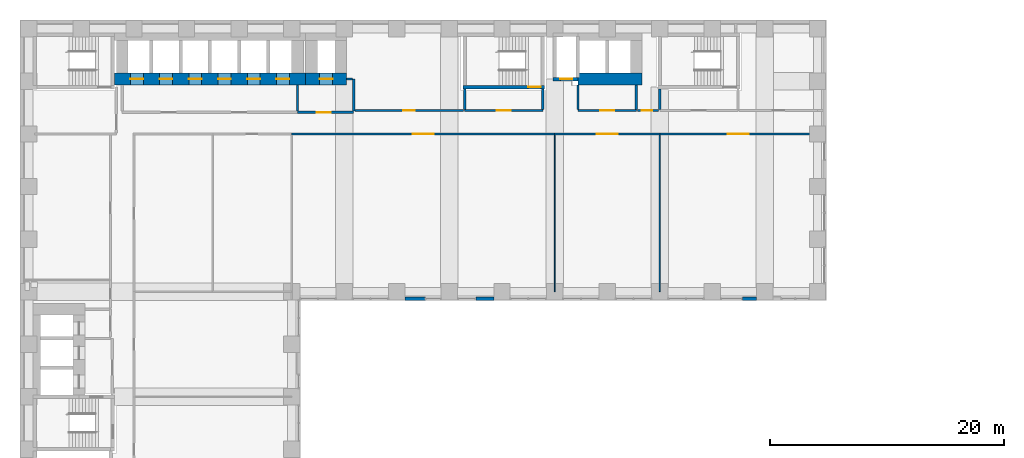
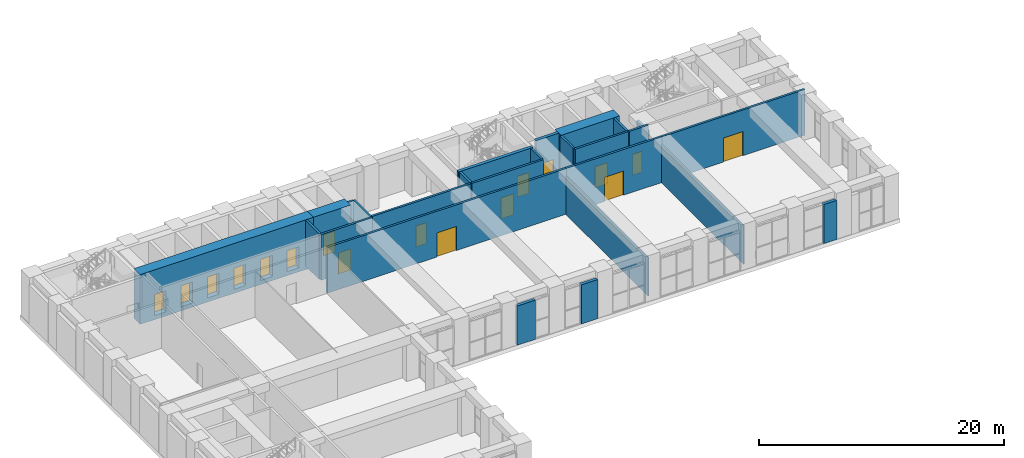
# One storey, part 20 of 34: 26 walls, 17 doors, 17 openings.
"""IFC4 building model written with IfcOpenShell, lengths in metres."""

import ifcopenshell
import ifcopenshell.guid

model = None  # the IFC model being written
_history = None  # IfcOwnerHistory: only IFC2X3 demands one
_inside = {}  # id of a spatial element -> (the spatial element, [elements in it])
_under = {}  # id of a project, library or spatial element -> (it, [spatial elements below it])
_declared = {}  # id of a project -> (the project, [libraries it declares])
_typed = {}  # id of a type object -> (the type object, [elements of that type])
_made_of = {}  # id of a material, layer set ... -> (it, [elements and type objects made of it])


def new_model(schema):
    """Start an empty IFC model of exactly this schema.

    Asked for "IFC4X3", IfcOpenShell would pick the latest addendum, in which some entities
    have other attributes; the version numbers below select the first issue.
    IFC2X3 requires an IfcOwnerHistory on every rooted entity: one is made here for all.
    """
    global model, _history
    if schema == "IFC4X3":
        model = ifcopenshell.file(schema_version=(4, 3, 0, 0))
    else:
        model = ifcopenshell.file(schema=schema)
    _inside.clear()
    _under.clear()
    _declared.clear()
    _typed.clear()
    _made_of.clear()
    _history = None
    if model.schema == "IFC2X3":
        org = make("IfcOrganization", Name="unknown")
        user = make(
            "IfcPersonAndOrganization",
            ThePerson=make("IfcPerson", FamilyName="unknown"),
            TheOrganization=org,
        )
        app = make(
            "IfcApplication",
            ApplicationDeveloper=org,
            Version="unknown",
            ApplicationFullName="unknown",
            ApplicationIdentifier="unknown",
        )
        _history = make(
            "IfcOwnerHistory",
            OwningUser=user,
            OwningApplication=app,
            ChangeAction="ADDED",
            CreationDate=0,
        )
    return model


def make(cls, **values):
    """One entity of the class cls with the attributes given. An attribute that is None is left unset."""
    return model.create_entity(
        cls, **{name: value for name, value in values.items() if value is not None}
    )


def rooted(cls, **values):
    """An entity with a GlobalId (a new one), such as an element, a storey or a relation."""
    return make(cls, GlobalId=ifcopenshell.guid.new(), OwnerHistory=_history, **values)


def si_unit(unit_type, name, prefix=None):
    """IfcSIUnit, for example si_unit("LENGTHUNIT", "METRE", prefix="MILLI")."""
    return make("IfcSIUnit", UnitType=unit_type, Prefix=prefix, Name=name)


def assignment(units):
    """IfcUnitAssignment: the units of a project."""
    return None if units is None else make("IfcUnitAssignment", Units=units)


def point(xyz):
    """IfcCartesianPoint."""
    return None if xyz is None else make("IfcCartesianPoint", Coordinates=xyz)


def direction(xyz):
    """IfcDirection."""
    return None if xyz is None else make("IfcDirection", DirectionRatios=xyz)


def frame(location, z_axis=None, x_axis=None):
    """IfcAxis2Placement3D, a coordinate frame: its origin and axes. An axis left out is left unset."""
    return make(
        "IfcAxis2Placement3D",
        Location=point(location),
        Axis=direction(z_axis),
        RefDirection=direction(x_axis),
    )


def frame_2d(location, x_axis=None):
    """IfcAxis2Placement2D, a coordinate frame in the plane: its origin and x axis."""
    return make(
        "IfcAxis2Placement2D", Location=point(location), RefDirection=direction(x_axis)
    )


def origin():
    """The frame at (0, 0, 0) with its axes left unset."""
    return frame((0.0, 0.0, 0.0))


def place(relative_to, where):
    """IfcLocalPlacement: puts the frame where relative to a parent placement (None: the world)."""
    return make(
        "IfcLocalPlacement", PlacementRelTo=relative_to, RelativePlacement=where
    )


def context(
    kind, dimensions, precision=None, world=None, true_north=None, identifier=None
):
    """IfcGeometricRepresentationContext, for example the 3D "Model" context."""
    return make(
        "IfcGeometricRepresentationContext",
        ContextIdentifier=identifier,
        ContextType=kind,
        CoordinateSpaceDimension=dimensions,
        Precision=precision,
        WorldCoordinateSystem=world,
        TrueNorth=true_north,
    )


def subcontext(parent, identifier, kind, view, scale=None):
    """IfcGeometricRepresentationSubContext, for example "Body" below "Model"."""
    return make(
        "IfcGeometricRepresentationSubContext",
        ContextIdentifier=identifier,
        ContextType=kind,
        ParentContext=parent,
        TargetScale=scale,
        TargetView=view,
    )


def project(units=None, contexts=None):
    """IfcProject with its units and contexts."""
    return rooted(
        "IfcProject",
        Name="project",
        RepresentationContexts=contexts,
        UnitsInContext=assignment(units),
    )


def spatial(cls, under=None, at=None, **own):
    """A site, building, storey or space (cls), placed at a placement, below another one or the project."""
    s = rooted(cls, ObjectPlacement=at, **own)
    if under is not None:
        _under.setdefault(under.id(), (under, []))[1].append(s)
    return s


def profile(cls, at=None, kind="AREA", **sizes):
    """A parametric profile (cls). Its sizes go by their IFC names, for example OverallWidth=200.0."""
    return make(cls, ProfileType=kind, Position=at, **sizes)


def rectangle(**sizes):
    """IfcRectangleProfileDef."""
    return profile("IfcRectangleProfileDef", **sizes)


def extrude(swept, where, along, depth):
    """IfcExtrudedAreaSolid: the profile swept, set in the frame where, extruded along a direction by depth."""
    return make(
        "IfcExtrudedAreaSolid",
        SweptArea=swept,
        Position=where,
        ExtrudedDirection=direction(along),
        Depth=depth,
    )


def shape(context_of_items, identifier, shape_type, items):
    """IfcShapeRepresentation: the items that make up one representation, for example the "Body"."""
    return make(
        "IfcShapeRepresentation",
        ContextOfItems=context_of_items,
        RepresentationIdentifier=identifier,
        RepresentationType=shape_type,
        Items=items,
    )


def material(Name=None, Category=None):
    """IfcMaterial."""
    return make("IfcMaterial", Name=Name, Category=Category)


def layer(
    of_material, thickness, ventilated=None, Name=None, Category=None, Priority=None
):
    """IfcMaterialLayer: one layer of a wall or slab, of a material (None: an air gap)."""
    return make(
        "IfcMaterialLayer",
        Material=of_material,
        LayerThickness=thickness,
        IsVentilated=ventilated,
        Name=Name,
        Category=Category,
        Priority=Priority,
    )


def layer_set(layers, Name=None):
    """IfcMaterialLayerSet."""
    return make("IfcMaterialLayerSet", MaterialLayers=layers, LayerSetName=Name)


def made_of(thing, what):
    """Note that an element or type object is made of a material, layer set ...; save() writes the relation."""
    if what is not None:
        _made_of.setdefault(what.id(), (what, []))[1].append(thing)
    return thing


def type_object(cls, material=None, **own):
    """A type object (cls), such as IfcWallType, which elements share."""
    return made_of(rooted(cls, **own), material)


def element(
    cls,
    number,
    at=None,
    inside=None,
    cuts=None,
    type_object=None,
    material=None,
    context=None,
    identifier="Body",
    shape_type=None,
    held_by="IfcProductDefinitionShape",
    body=None,
    shapes=None,
    **own,
):
    """One element of the class cls, such as IfcWall. Its Tag is "e" and its number.

    at: its placement. inside: the storey or other place that contains it. cuts: it is an
    opening in that element (IfcRelVoidsElement). A single representation is given by context,
    identifier, shape_type and body (its items); several are given by shapes. held_by: the class
    of the entity that holds the representations. save() writes the other relations.
    """
    e = rooted(cls, Tag="e%d" % number, ObjectPlacement=at, **own)
    if body is not None:
        shapes = [shape(context, identifier, shape_type, body)]
    if shapes is not None:
        e.Representation = make(held_by, Representations=shapes)
    if inside is not None:
        _inside.setdefault(inside.id(), (inside, []))[1].append(e)
    if cuts is not None:
        rooted(
            "IfcRelVoidsElement", RelatingBuildingElement=cuts, RelatedOpeningElement=e
        )
    if type_object is not None:
        _typed.setdefault(type_object.id(), (type_object, []))[1].append(e)
    return made_of(e, material)


def fill(opening, filler):
    """IfcRelFillsElement: the door or window that sits in an opening."""
    return rooted(
        "IfcRelFillsElement",
        RelatingOpeningElement=opening,
        RelatedBuildingElement=filler,
    )


def aggregate(whole, parts):
    """IfcRelAggregates: a whole, such as a stair, and the parts it consists of."""
    return rooted("IfcRelAggregates", RelatingObject=whole, RelatedObjects=parts)


def save(model, path):
    """Write the relations noted so far, then the file.

    IfcRelAggregates (storeys below a building ...), IfcRelContainedInSpatialStructure (elements
    in a storey), IfcRelDefinesByType, IfcRelAssociatesMaterial and IfcRelDeclares: one each for
    every whole, place, type object, material and project.
    """
    for whole, parts in _under.values():
        aggregate(whole, parts)
    for where, things in _inside.values():
        rooted(
            "IfcRelContainedInSpatialStructure",
            RelatedElements=things,
            RelatingStructure=where,
        )
    for kind, things in _typed.values():
        rooted("IfcRelDefinesByType", RelatedObjects=things, RelatingType=kind)
    for what, things in _made_of.values():
        rooted("IfcRelAssociatesMaterial", RelatedObjects=things, RelatingMaterial=what)
    for by, libraries in _declared.values():
        rooted("IfcRelDeclares", RelatingContext=by, RelatedDefinitions=libraries)
    model.write(path)


model = new_model("IFC4")

# Units and contexts
model_context = context("Model", 3, precision=1e-05, world=origin(), true_north=direction((0.0, 1.0)))
body_context = subcontext(model_context, "Body", "Model", "MODEL_VIEW")
ifc_project = project(units=[si_unit("LENGTHUNIT", "METRE"), si_unit("AREAUNIT", "SQUARE_METRE"), si_unit("VOLUMEUNIT", "CUBIC_METRE"), si_unit("PLANEANGLEUNIT", "RADIAN"), si_unit("MASSUNIT", "GRAM", prefix="KILO")], contexts=[model_context])

# Site, building, storey
site_placement = place(None, origin())
site = spatial("IfcSite", under=ifc_project, at=site_placement, CompositionType="ELEMENT")
building_placement = place(site_placement, origin())
building = spatial("IfcBuilding", under=site, at=building_placement, Name="Firuza Court", CompositionType="ELEMENT")
storey_placement = place(building_placement, frame((0.0, 0.0, 19.0)))
storey = spatial("IfcBuildingStorey", under=building, at=storey_placement, Name="L03", CompositionType="ELEMENT", Elevation=19.0)

# Wall, openings, doors
ifc_material_1 = material(Name="Concrete C60/75", Category="concrete")
ifc_layer_1 = layer(ifc_material_1, 1.0)
ifc_layer_set_1 = layer_set([ifc_layer_1], Name="Concrete C60/75")
wall_type_1 = type_object("IfcWallType", Name="Core wall 1000 C60/75", PredefinedType="SHEAR", material=ifc_layer_set_1)
wall_1_placement = place(storey_placement, frame((7.35009765625, 54.199951171875, -0.39990234375), z_axis=(0.0, 0.0, 1.0), x_axis=(1.0, 0.0, 0.0)))
wall_1 = element("IfcWall", 1, at=wall_1_placement, inside=storey, type_object=wall_type_1, Name="Core wall lift shaft L03", PredefinedType="SHEAR", context=body_context, shape_type="SweptSolid", body=[
    extrude(rectangle(XDim=16.349853515625, YDim=1.0, at=frame_2d((8.1748046875, 0.0))), origin(), (0.0, 0.0, 1.0), 4.949951171875),
])
opening_1_placement = place(wall_1_placement, frame((1.35009765625, 0.0, 0.39990234375)))
opening_1 = element("IfcOpeningElement", 2, at=opening_1_placement, cuts=wall_1, Name="Opening LD-LB1-03", PredefinedType="OPENING", context=body_context, shape_type="SweptSolid", body=[
    extrude(rectangle(XDim=1.10009765625, YDim=2.10009765625, at=frame_2d((0.550048828125, 1.050048828125))), frame((0.0, 0.511962890625, 0.0), z_axis=(0.0, -1.0, 0.0), x_axis=(1.0, 0.0, 0.0)), (0.0, 0.0, 1.0), 1.02392578125),
])
opening_2_placement = place(wall_1_placement, frame((3.85009765625, 0.0, 0.39990234375)))
opening_2 = element("IfcOpeningElement", 3, at=opening_2_placement, cuts=wall_1, Name="Opening LD-LB2-03", PredefinedType="OPENING", context=body_context, shape_type="SweptSolid", body=[
    extrude(rectangle(XDim=1.10009765625, YDim=2.10009765625, at=frame_2d((0.550048828125, 1.050048828125))), frame((0.0, 0.511962890625, 0.0), z_axis=(0.0, -1.0, 0.0), x_axis=(1.0, 0.0, 0.0)), (0.0, 0.0, 1.0), 1.02392578125),
])
opening_3_placement = place(wall_1_placement, frame((6.35009765625, 0.0, 0.39990234375)))
opening_3 = element("IfcOpeningElement", 4, at=opening_3_placement, cuts=wall_1, Name="Opening LD-LB3-03", PredefinedType="OPENING", context=body_context, shape_type="SweptSolid", body=[
    extrude(rectangle(XDim=1.10009765625, YDim=2.10009765625, at=frame_2d((0.550048828125, 1.050048828125))), frame((0.0, 0.511962890625, 0.0), z_axis=(0.0, -1.0, 0.0), x_axis=(1.0, 0.0, 0.0)), (0.0, 0.0, 1.0), 1.02392578125),
])
opening_4_placement = place(wall_1_placement, frame((8.85009765625, 0.0, 0.39990234375)))
opening_4 = element("IfcOpeningElement", 5, at=opening_4_placement, cuts=wall_1, Name="Opening LD-LB4-03", PredefinedType="OPENING", context=body_context, shape_type="SweptSolid", body=[
    extrude(rectangle(XDim=1.10009765625, YDim=2.10009765625, at=frame_2d((0.550048828125, 1.050048828125))), frame((0.0, 0.511962890625, 0.0), z_axis=(0.0, -1.0, 0.0), x_axis=(1.0, 0.0, 0.0)), (0.0, 0.0, 1.0), 1.02392578125),
])
opening_5_placement = place(wall_1_placement, frame((11.35009765625, 0.0, 0.39990234375)))
opening_5 = element("IfcOpeningElement", 6, at=opening_5_placement, cuts=wall_1, Name="Opening LD-LB5-03", PredefinedType="OPENING", context=body_context, shape_type="SweptSolid", body=[
    extrude(rectangle(XDim=1.10009765625, YDim=2.10009765625, at=frame_2d((0.550048828125, 1.050048828125))), frame((0.0, 0.511962890625, 0.0), z_axis=(0.0, -1.0, 0.0), x_axis=(1.0, 0.0, 0.0)), (0.0, 0.0, 1.0), 1.02392578125),
])
opening_6_placement = place(wall_1_placement, frame((13.85009765625, 0.0, 0.39990234375)))
opening_6 = element("IfcOpeningElement", 7, at=opening_6_placement, cuts=wall_1, Name="Opening LD-LB6-03", PredefinedType="OPENING", context=body_context, shape_type="SweptSolid", body=[
    extrude(rectangle(XDim=1.10009765625, YDim=2.10009765625, at=frame_2d((0.550048828125, 1.050048828125))), frame((0.0, 0.511962890625, 0.0), z_axis=(0.0, -1.0, 0.0), x_axis=(1.0, 0.0, 0.0)), (0.0, 0.0, 1.0), 1.02392578125),
])
ifc_material_2 = material(Name="Stainless steel 1.4301 door leaf", Category="steel")
door_type_1 = type_object("IfcDoorType", Name="Lift landing door 1100", OperationType="SLIDING_TO_LEFT", PredefinedType="DOOR", material=ifc_material_2)
door_1_placement = place(opening_1_placement, origin())
door_1 = element("IfcDoor", 8, at=door_1_placement, inside=storey, type_object=door_type_1, Name="Landing door LB1", OperationType="SLIDING_TO_LEFT", OverallHeight=2.10009765625, OverallWidth=1.10009765625, PredefinedType="DOOR", context=body_context, shape_type="SweptSolid", body=[
    extrude(rectangle(XDim=1.10009765625, YDim=2.10009765625, at=frame_2d((0.550048828125, 1.050048828125))), frame((0.0, 0.02490234375, 0.0), z_axis=(0.0, -1.0, 0.0), x_axis=(1.0, 0.0, 0.0)), (0.0, 0.0, 1.0), 0.050048828125),
])
fill(opening_1, door_1)
door_2_placement = place(opening_2_placement, origin())
door_2 = element("IfcDoor", 9, at=door_2_placement, inside=storey, type_object=door_type_1, Name="Landing door LB2", OperationType="SLIDING_TO_LEFT", OverallHeight=2.10009765625, OverallWidth=1.10009765625, PredefinedType="DOOR", context=body_context, shape_type="SweptSolid", body=[
    extrude(rectangle(XDim=1.10009765625, YDim=2.10009765625, at=frame_2d((0.550048828125, 1.050048828125))), frame((0.0, 0.02490234375, 0.0), z_axis=(0.0, -1.0, 0.0), x_axis=(1.0, 0.0, 0.0)), (0.0, 0.0, 1.0), 0.050048828125),
])
fill(opening_2, door_2)
door_3_placement = place(opening_3_placement, origin())
door_3 = element("IfcDoor", 10, at=door_3_placement, inside=storey, type_object=door_type_1, Name="Landing door LB3", OperationType="SLIDING_TO_LEFT", OverallHeight=2.10009765625, OverallWidth=1.10009765625, PredefinedType="DOOR", context=body_context, shape_type="SweptSolid", body=[
    extrude(rectangle(XDim=1.10009765625, YDim=2.10009765625, at=frame_2d((0.550048828125, 1.050048828125))), frame((0.0, 0.02490234375, 0.0), z_axis=(0.0, -1.0, 0.0), x_axis=(1.0, 0.0, 0.0)), (0.0, 0.0, 1.0), 0.050048828125),
])
fill(opening_3, door_3)
door_4_placement = place(opening_4_placement, origin())
door_4 = element("IfcDoor", 11, at=door_4_placement, inside=storey, type_object=door_type_1, Name="Landing door LB4", OperationType="SLIDING_TO_LEFT", OverallHeight=2.10009765625, OverallWidth=1.10009765625, PredefinedType="DOOR", context=body_context, shape_type="SweptSolid", body=[
    extrude(rectangle(XDim=1.10009765625, YDim=2.10009765625, at=frame_2d((0.550048828125, 1.050048828125))), frame((0.0, 0.02490234375, 0.0), z_axis=(0.0, -1.0, 0.0), x_axis=(1.0, 0.0, 0.0)), (0.0, 0.0, 1.0), 0.050048828125),
])
fill(opening_4, door_4)
door_5_placement = place(opening_5_placement, origin())
door_5 = element("IfcDoor", 12, at=door_5_placement, inside=storey, type_object=door_type_1, Name="Landing door LB5", OperationType="SLIDING_TO_LEFT", OverallHeight=2.10009765625, OverallWidth=1.10009765625, PredefinedType="DOOR", context=body_context, shape_type="SweptSolid", body=[
    extrude(rectangle(XDim=1.10009765625, YDim=2.10009765625, at=frame_2d((0.550048828125, 1.050048828125))), frame((0.0, 0.02490234375, 0.0), z_axis=(0.0, -1.0, 0.0), x_axis=(1.0, 0.0, 0.0)), (0.0, 0.0, 1.0), 0.050048828125),
])
fill(opening_5, door_5)
door_6_placement = place(opening_6_placement, origin())
door_6 = element("IfcDoor", 13, at=door_6_placement, inside=storey, type_object=door_type_1, Name="Landing door LB6", OperationType="SLIDING_TO_LEFT", OverallHeight=2.10009765625, OverallWidth=1.10009765625, PredefinedType="DOOR", context=body_context, shape_type="SweptSolid", body=[
    extrude(rectangle(XDim=1.10009765625, YDim=2.10009765625, at=frame_2d((0.550048828125, 1.050048828125))), frame((0.0, 0.02490234375, 0.0), z_axis=(0.0, -1.0, 0.0), x_axis=(1.0, 0.0, 0.0)), (0.0, 0.0, 1.0), 0.050048828125),
])
fill(opening_6, door_6)

# Wall, opening, door
wall_2_placement = place(storey_placement, frame((23.699951171875, 54.199951171875, -0.39990234375), z_axis=(0.0, 0.0, 1.0), x_axis=(1.0, 0.0, 0.0)))
wall_2 = element("IfcWall", 14, at=wall_2_placement, inside=storey, type_object=wall_type_1, Name="Core wall lift shaft L03", PredefinedType="SHEAR", context=body_context, shape_type="SweptSolid", body=[
    extrude(rectangle(XDim=3.5, YDim=1.0, at=frame_2d((1.75, 0.0))), origin(), (0.0, 0.0, 1.0), 4.949951171875),
])
opening_7_placement = place(wall_2_placement, frame((1.199951171875, 0.0, 0.39990234375)))
opening_7 = element("IfcOpeningElement", 15, at=opening_7_placement, cuts=wall_2, Name="Opening LD-FL3-03", PredefinedType="OPENING", context=body_context, shape_type="SweptSolid", body=[
    extrude(rectangle(XDim=1.10009765625, YDim=2.10009765625, at=frame_2d((0.550048828125, 1.050048828125))), frame((0.0, 0.511962890625, 0.0), z_axis=(0.0, -1.0, 0.0), x_axis=(1.0, 0.0, 0.0)), (0.0, 0.0, 1.0), 1.02392578125),
])
door_7_placement = place(opening_7_placement, origin())
door_7 = element("IfcDoor", 16, at=door_7_placement, inside=storey, type_object=door_type_1, Name="Landing door FL3", OperationType="SLIDING_TO_LEFT", OverallHeight=2.10009765625, OverallWidth=1.10009765625, PredefinedType="DOOR", context=body_context, shape_type="SweptSolid", body=[
    extrude(rectangle(XDim=1.10009765625, YDim=2.10009765625, at=frame_2d((0.550048828125, 1.050048828125))), frame((0.0, 0.02490234375, 0.0), z_axis=(0.0, -1.0, 0.0), x_axis=(1.0, 0.0, 0.0)), (0.0, 0.0, 1.0), 0.050048828125),
])
fill(opening_7, door_7)

# Wall
wall_3_placement = place(storey_placement, frame((47.0, 54.199951171875, -0.39990234375), z_axis=(0.0, 0.0, 1.0), x_axis=(1.0, 0.0, 0.0)))
element("IfcWall", 17, at=wall_3_placement, inside=storey, type_object=wall_type_1, Name="Core wall lift shaft L03", PredefinedType="SHEAR", context=body_context, shape_type="SweptSolid", body=[
    extrude(rectangle(XDim=5.5, YDim=1.0, at=frame_2d((2.75, 0.0))), origin(), (0.0, 0.0, 1.0), 4.949951171875),
])

# Wall, opening, door
ifc_layer_2 = layer(ifc_material_1, 0.300048828125)
ifc_layer_set_2 = layer_set([ifc_layer_2], Name="Concrete C60/75")
wall_type_2 = type_object("IfcWallType", Name="Core wall 300 C60/75", PredefinedType="SHEAR", material=ifc_layer_set_2)
wall_4_placement = place(storey_placement, frame((37.14990234375, 53.5, -0.39990234375), z_axis=(0.0, 0.0, 1.0), x_axis=(1.0, 0.0, 0.0)))
wall_4 = element("IfcWall", 18, at=wall_4_placement, inside=storey, type_object=wall_type_2, Name="Core wall stair L03", PredefinedType="SHEAR", context=body_context, shape_type="SweptSolid", body=[
    extrude(rectangle(XDim=7.0, YDim=0.300048828125, at=frame_2d((3.5, 0.0))), origin(), (0.0, 0.0, 1.0), 4.949951171875),
])
opening_8_placement = place(wall_4_placement, frame((5.580078125, 0.0, 0.39990234375)))
opening_8 = element("IfcOpeningElement", 19, at=opening_8_placement, cuts=wall_4, Name="Opening D03013", PredefinedType="OPENING", context=body_context, shape_type="SweptSolid", body=[
    extrude(rectangle(XDim=1.10009765625, YDim=2.10009765625, at=frame_2d((0.550048828125, 1.050048828125))), frame((0.0, 0.162109375, 0.0), z_axis=(0.0, -1.0, 0.0), x_axis=(1.0, 0.0, 0.0)), (0.0, 0.0, 1.0), 0.323974609375),
])
ifc_material_3 = material(Name="Timber door leaf in hardwood frame", Category="wood")
door_type_2 = type_object("IfcDoorType", Name="Stair door 1100", OperationType="SINGLE_SWING_LEFT", PredefinedType="DOOR", material=ifc_material_3)
door_8_placement = place(opening_8_placement, origin())
door_8 = element("IfcDoor", 20, at=door_8_placement, inside=storey, type_object=door_type_2, Name="Stair door S1", OperationType="SINGLE_SWING_RIGHT", OverallHeight=2.10009765625, OverallWidth=1.10009765625, PredefinedType="DOOR", context=body_context, shape_type="SweptSolid", body=[
    extrude(rectangle(XDim=1.10009765625, YDim=2.10009765625, at=frame_2d((0.550048828125, 1.050048828125))), frame((0.0, 0.02490234375, 0.0), z_axis=(0.0, -1.0, 0.0), x_axis=(1.0, 0.0, 0.0)), (0.0, 0.0, 1.0), 0.050048828125),
])
fill(opening_8, door_8)

wall_5_placement = place(storey_placement, frame((44.85009765625, 54.199951171875, -0.39990234375), z_axis=(0.0, 0.0, 1.0), x_axis=(1.0, 0.0, 0.0)))
wall_5 = element("IfcWall", 21, at=wall_5_placement, inside=storey, type_object=wall_type_2, Name="Core wall riser L03", PredefinedType="SHEAR", context=body_context, shape_type="SweptSolid", body=[
    extrude(rectangle(XDim=2.14990234375, YDim=0.300048828125, at=frame_2d((1.074951171875, 0.0))), origin(), (0.0, 0.0, 1.0), 4.949951171875),
])
opening_9_placement = place(wall_5_placement, frame((0.64990234375, 0.0, 0.39990234375)))
opening_9 = element("IfcOpeningElement", 22, at=opening_9_placement, cuts=wall_5, Name="Opening D03011", PredefinedType="OPENING", context=body_context, shape_type="SweptSolid", body=[
    extrude(rectangle(XDim=1.0, YDim=2.10009765625, at=frame_2d((0.5, 1.050048828125))), frame((0.0, 0.162109375, 0.0), z_axis=(0.0, -1.0, 0.0), x_axis=(1.0, 0.0, 0.0)), (0.0, 0.0, 1.0), 0.323974609375),
])
ifc_material_4 = material(Name="Timber door leaf in hardwood frame", Category="wood")
door_type_3 = type_object("IfcDoorType", Name="Riser door 1000", OperationType="SINGLE_SWING_LEFT", PredefinedType="DOOR", material=ifc_material_4)
door_9_placement = place(opening_9_placement, frame((1.0, 0.0, 0.0), z_axis=(0.0, 0.0, 1.0), x_axis=(-1.0, 0.0, 0.0)))
door_9 = element("IfcDoor", 23, at=door_9_placement, inside=storey, type_object=door_type_3, Name="Riser door R3", OperationType="SINGLE_SWING_RIGHT", OverallHeight=2.10009765625, OverallWidth=1.0, PredefinedType="DOOR", context=body_context, shape_type="SweptSolid", body=[
    extrude(rectangle(XDim=1.0, YDim=2.10009765625, at=frame_2d((0.5, 1.050048828125))), frame((0.0, 0.02490234375, 0.0), z_axis=(0.0, -1.0, 0.0), x_axis=(1.0, 0.0, 0.0)), (0.0, 0.0, 1.0), 0.050048828125),
])
fill(opening_9, door_9)

ifc_material_5 = material(Name="Blockwork, plastered both sides", Category="masonry")
ifc_layer_3 = layer(ifc_material_5, 0.199951171875)
ifc_layer_set_3 = layer_set([ifc_layer_3], Name="Blockwork, plastered both sides")
wall_type_3 = type_object("IfcWallType", Name="Corridor wall 200", PredefinedType="PARTITIONING", material=ifc_layer_set_3)
wall_6_placement = place(storey_placement, frame((22.5, 49.5, 0.0), z_axis=(0.0, 0.0, 1.0), x_axis=(1.0, 0.0, 0.0)))
wall_6 = element("IfcWall", 24, at=wall_6_placement, inside=storey, type_object=wall_type_3, Name="Corridor wall 200 L03", PredefinedType="PARTITIONING", context=body_context, shape_type="SweptSolid", body=[
    extrude(rectangle(XDim=22.5, YDim=0.199951171875, at=frame_2d((11.25, 0.0))), origin(), (0.0, 0.0, 1.0), 4.550048828125),
])
opening_10_placement = place(wall_6_placement, frame((10.35009765625, 0.0, 0.0)))
opening_10 = element("IfcOpeningElement", 25, at=opening_10_placement, cuts=wall_6, Name="Opening D03030", PredefinedType="OPENING", context=body_context, shape_type="SweptSolid", body=[
    extrude(rectangle(XDim=1.800048828125, YDim=2.39990234375, at=frame_2d((0.89990234375, 1.199951171875))), frame((0.0, 0.11181640625, 0.0), z_axis=(0.0, -1.0, 0.0), x_axis=(1.0, 0.0, 0.0)), (0.0, 0.0, 1.0), 0.223876953125),
])
ifc_material_6 = material(Name="Timber door leaf in hardwood frame", Category="wood")
door_type_4 = type_object("IfcDoorType", Name="Double door 1800 EI 30", OperationType="DOUBLE_DOOR_SINGLE_SWING", PredefinedType="DOOR", material=ifc_material_6)
door_10_placement = place(opening_10_placement, origin())
door_10 = element("IfcDoor", 26, at=door_10_placement, inside=storey, type_object=door_type_4, Name="Double door", OperationType="DOUBLE_DOOR_SINGLE_SWING", OverallHeight=2.39990234375, OverallWidth=1.800048828125, PredefinedType="DOOR", context=body_context, shape_type="SweptSolid", body=[
    extrude(rectangle(XDim=1.800048828125, YDim=2.39990234375, at=frame_2d((0.89990234375, 1.199951171875))), frame((0.0, 0.02490234375, 0.0), z_axis=(0.0, -1.0, 0.0), x_axis=(1.0, 0.0, 0.0)), (0.0, 0.0, 1.0), 0.050048828125),
])
fill(opening_10, door_10)

wall_7_placement = place(storey_placement, frame((45.0, 49.5, 0.0), z_axis=(0.0, 0.0, 1.0), x_axis=(1.0, 0.0, 0.0)))
wall_7 = element("IfcWall", 27, at=wall_7_placement, inside=storey, type_object=wall_type_3, Name="Corridor wall 200 L03", PredefinedType="PARTITIONING", context=body_context, shape_type="SweptSolid", body=[
    extrude(rectangle(XDim=9.0, YDim=0.199951171875, at=frame_2d((4.5, 0.0))), origin(), (0.0, 0.0, 1.0), 4.550048828125),
])
opening_11_placement = place(wall_7_placement, frame((3.60009765625, 0.0, 0.0)))
opening_11 = element("IfcOpeningElement", 28, at=opening_11_placement, cuts=wall_7, Name="Opening D03031", PredefinedType="OPENING", context=body_context, shape_type="SweptSolid", body=[
    extrude(rectangle(XDim=1.800048828125, YDim=2.39990234375, at=frame_2d((0.89990234375, 1.199951171875))), frame((0.0, 0.11181640625, 0.0), z_axis=(0.0, -1.0, 0.0), x_axis=(1.0, 0.0, 0.0)), (0.0, 0.0, 1.0), 0.223876953125),
])
door_11_placement = place(opening_11_placement, origin())
door_11 = element("IfcDoor", 29, at=door_11_placement, inside=storey, type_object=door_type_4, Name="Double door", OperationType="DOUBLE_DOOR_SINGLE_SWING", OverallHeight=2.39990234375, OverallWidth=1.800048828125, PredefinedType="DOOR", context=body_context, shape_type="SweptSolid", body=[
    extrude(rectangle(XDim=1.800048828125, YDim=2.39990234375, at=frame_2d((0.89990234375, 1.199951171875))), frame((0.0, 0.02490234375, 0.0), z_axis=(0.0, -1.0, 0.0), x_axis=(1.0, 0.0, 0.0)), (0.0, 0.0, 1.0), 0.050048828125),
])
fill(opening_11, door_11)

wall_8_placement = place(storey_placement, frame((54.0, 49.5, 0.0), z_axis=(0.0, 0.0, 1.0), x_axis=(1.0, 0.0, 0.0)))
wall_8 = element("IfcWall", 30, at=wall_8_placement, inside=storey, type_object=wall_type_3, Name="Corridor wall 200 L03", PredefinedType="PARTITIONING", context=body_context, shape_type="SweptSolid", body=[
    extrude(rectangle(XDim=13.5, YDim=0.199951171875, at=frame_2d((6.75, 0.0))), origin(), (0.0, 0.0, 1.0), 4.550048828125),
])
opening_12_placement = place(wall_8_placement, frame((5.824951171875, 0.0, 0.0)))
opening_12 = element("IfcOpeningElement", 31, at=opening_12_placement, cuts=wall_8, Name="Opening D03032", PredefinedType="OPENING", context=body_context, shape_type="SweptSolid", body=[
    extrude(rectangle(XDim=1.800048828125, YDim=2.39990234375, at=frame_2d((0.89990234375, 1.199951171875))), frame((0.0, 0.11181640625, 0.0), z_axis=(0.0, -1.0, 0.0), x_axis=(1.0, 0.0, 0.0)), (0.0, 0.0, 1.0), 0.223876953125),
])
door_12_placement = place(opening_12_placement, origin())
door_12 = element("IfcDoor", 32, at=door_12_placement, inside=storey, type_object=door_type_4, Name="Double door", OperationType="DOUBLE_DOOR_SINGLE_SWING", OverallHeight=2.39990234375, OverallWidth=1.800048828125, PredefinedType="DOOR", context=body_context, shape_type="SweptSolid", body=[
    extrude(rectangle(XDim=1.800048828125, YDim=2.39990234375, at=frame_2d((0.89990234375, 1.199951171875))), frame((0.0, 0.02490234375, 0.0), z_axis=(0.0, -1.0, 0.0), x_axis=(1.0, 0.0, 0.0)), (0.0, 0.0, 1.0), 0.050048828125),
])
fill(opening_12, door_12)

wall_9_placement = place(storey_placement, frame((53.89990234375, 51.5, 0.0), z_axis=(0.0, 0.0, 1.0), x_axis=(-1.0, 0.0, 0.0)))
wall_9 = element("IfcWall", 33, at=wall_9_placement, inside=storey, type_object=wall_type_3, Name="Corridor wall 200 L03", PredefinedType="PARTITIONING", context=body_context, shape_type="SweptSolid", body=[
    extrude(rectangle(XDim=1.7998046875, YDim=0.199951171875, at=frame_2d((0.89990234375, 0.0))), origin(), (0.0, 0.0, 1.0), 4.550048828125),
])
opening_13_placement = place(wall_9_placement, frame((0.550048828125, 0.0, 0.0)))
opening_13 = element("IfcOpeningElement", 34, at=opening_13_placement, cuts=wall_9, Name="Opening D03034", PredefinedType="OPENING", context=body_context, shape_type="SweptSolid", body=[
    extrude(rectangle(XDim=0.89990234375, YDim=2.10009765625, at=frame_2d((0.449951171875, 1.050048828125))), frame((0.0, 0.11181640625, 0.0), z_axis=(0.0, -1.0, 0.0), x_axis=(1.0, 0.0, 0.0)), (0.0, 0.0, 1.0), 0.223876953125),
])
ifc_material_7 = material(Name="Timber door leaf in hardwood frame", Category="wood")
door_type_5 = type_object("IfcDoorType", Name="Room door 900 EI 30", OperationType="SINGLE_SWING_LEFT", PredefinedType="DOOR", material=ifc_material_7)
door_13_placement = place(opening_13_placement, origin())
door_13 = element("IfcDoor", 35, at=door_13_placement, inside=storey, type_object=door_type_5, Name="Room door", OperationType="SINGLE_SWING_LEFT", OverallHeight=2.10009765625, OverallWidth=0.89990234375, PredefinedType="DOOR", context=body_context, shape_type="SweptSolid", body=[
    extrude(rectangle(XDim=0.89990234375, YDim=2.10009765625, at=frame_2d((0.449951171875, 1.050048828125))), frame((0.0, 0.02490234375, 0.0), z_axis=(0.0, -1.0, 0.0), x_axis=(1.0, 0.0, 0.0)), (0.0, 0.0, 1.0), 0.050048828125),
])
fill(opening_13, door_13)

# Walls
ifc_material_8 = material(Name="Timber stud partition, plasterboard both sides", Category="wood")
ifc_layer_4 = layer(ifc_material_8, 0.10009765625)
ifc_layer_set_4 = layer_set([ifc_layer_4], Name="Timber stud partition, plasterboard both sides")
wall_type_4 = type_object("IfcWallType", Name="Partition wall 100", PredefinedType="PARTITIONING", material=ifc_layer_set_4)
for number, where, z_axis, x_axis, name in (
    (36, (45.0, 49.39990234375, 0.0), (0.0, 0.0, 1.0), (0.0, -1.0, 0.0), "Partition wall 100 L03"),
    (37, (54.0, 49.39990234375, 0.0), (0.0, 0.0, 1.0), (0.0, -1.0, 0.0), "Partition wall 100 L03"),
):
    element("IfcWall", number, at=place(storey_placement, frame(where, z_axis=z_axis, x_axis=x_axis)), inside=storey, type_object=wall_type_4, Name=name, PredefinedType="PARTITIONING", context=body_context, shape_type="SweptSolid", body=[
        extrude(rectangle(XDim=13.39990234375, YDim=0.10009765625, at=frame_2d((6.699951171875, 0.0))), origin(), (0.0, 0.0, 1.0), 3.85009765625),
    ])

# Wall, opening, door
ifc_material_9 = material(Name="Blockwork, fire-rated", Category="masonry")
ifc_layer_5 = layer(ifc_material_9, 0.199951171875)
ifc_layer_set_5 = layer_set([ifc_layer_5], Name="Blockwork, fire-rated")
wall_type_5 = type_object("IfcWallType", Name="Plant room wall 200", PredefinedType="PARTITIONING", material=ifc_layer_set_5)
wall_10_placement = place(storey_placement, frame((37.199951171875, 51.5, 0.0), z_axis=(0.0, 0.0, 1.0), x_axis=(-1.0, 0.0, 0.0)))
wall_10 = element("IfcWall", 38, at=wall_10_placement, inside=storey, type_object=wall_type_5, Name="Plant room wall 200 L03", PredefinedType="PARTITIONING", context=body_context, shape_type="SweptSolid", body=[
    extrude(rectangle(XDim=9.300048828125, YDim=0.199951171875, at=frame_2d((4.64990234375, 0.0))), origin(), (0.0, 0.0, 1.0), 4.550048828125),
])
opening_14_placement = place(wall_10_placement, frame((4.14990234375, 0.0, 0.0)))
opening_14 = element("IfcOpeningElement", 39, at=opening_14_placement, cuts=wall_10, Name="Opening D03033", PredefinedType="OPENING", context=body_context, shape_type="SweptSolid", body=[
    extrude(rectangle(XDim=1.0, YDim=2.10009765625, at=frame_2d((0.5, 1.050048828125))), frame((0.0, 0.11181640625, 0.0), z_axis=(0.0, -1.0, 0.0), x_axis=(1.0, 0.0, 0.0)), (0.0, 0.0, 1.0), 0.223876953125),
])
ifc_material_10 = material(Name="Timber door leaf in hardwood frame", Category="wood")
door_type_6 = type_object("IfcDoorType", Name="Store door 1000", OperationType="SINGLE_SWING_LEFT", PredefinedType="DOOR", material=ifc_material_10)
door_14_placement = place(opening_14_placement, frame((1.0, 0.0, 0.0), z_axis=(0.0, 0.0, 1.0), x_axis=(-1.0, 0.0, 0.0)))
door_14 = element("IfcDoor", 40, at=door_14_placement, inside=storey, type_object=door_type_6, Name="Store door", OperationType="SINGLE_SWING_RIGHT", OverallHeight=2.10009765625, OverallWidth=1.0, PredefinedType="DOOR", context=body_context, shape_type="SweptSolid", body=[
    extrude(rectangle(XDim=1.0, YDim=2.10009765625, at=frame_2d((0.5, 1.050048828125))), frame((0.0, 0.02490234375, 0.0), z_axis=(0.0, -1.0, 0.0), x_axis=(1.0, 0.0, 0.0)), (0.0, 0.0, 1.0), 0.050048828125),
])
fill(opening_14, door_14)

# Walls
ifc_material_11 = material(Name="Ceramic tile", Category="ceramic")
ifc_layer_6 = layer(ifc_material_11, 0.02001953125)
ifc_material_12 = material(Name="Mineral wool insulation", Category="insulation")
ifc_layer_7 = layer(ifc_material_12, 0.1298828125)
ifc_material_13 = material(Name="Concrete C40/50 precast", Category="concrete")
ifc_layer_8 = layer(ifc_material_13, 0.14990234375)
ifc_layer_set_6 = layer_set([ifc_layer_6, ifc_layer_7, ifc_layer_8], Name="Concrete C40/50 precast")
wall_type_6 = type_object("IfcWallType", Name="Precast spandrel wall with turquoise TILE PANEL face 300", PredefinedType="STANDARD", material=ifc_layer_set_6)
wall_11_placement = place(storey_placement, frame((32.199951171875, 35.39990234375, 0.0), z_axis=(0.0, 0.0, 1.0), x_axis=(1.0, 0.0, 0.0)))
element("IfcWall", 41, at=wall_11_placement, inside=storey, type_object=wall_type_6, Name="Facade wall L03 S", PredefinedType="STANDARD", context=body_context, shape_type="SweptSolid", body=[
    extrude(rectangle(XDim=1.732666015625, YDim=0.300048828125, at=frame_2d((0.8662109375, 0.0))), origin(), (0.0, 0.0, 1.0), 3.89990234375),
])
wall_12_placement = place(storey_placement, frame((38.2578125, 35.39990234375, 0.0), z_axis=(0.0, 0.0, 1.0), x_axis=(1.0, 0.0, 0.0)))
element("IfcWall", 42, at=wall_12_placement, inside=storey, type_object=wall_type_6, Name="Facade wall L03 S", PredefinedType="STANDARD", context=body_context, shape_type="SweptSolid", body=[
    extrude(rectangle(XDim=1.542236328125, YDim=0.300048828125, at=frame_2d((0.77099609375, 0.0))), origin(), (0.0, 0.0, 1.0), 3.89990234375),
])
wall_13_placement = place(storey_placement, frame((61.0751953125, 35.39990234375, 0.0), z_axis=(0.0, 0.0, 1.0), x_axis=(1.0, 0.0, 0.0)))
element("IfcWall", 43, at=wall_13_placement, inside=storey, type_object=wall_type_6, Name="Facade wall L03 S", PredefinedType="STANDARD", context=body_context, shape_type="SweptSolid", body=[
    extrude(rectangle(XDim=1.224853515625, YDim=0.300048828125, at=frame_2d((0.6123046875, 0.0))), origin(), (0.0, 0.0, 1.0), 3.89990234375),
])
ifc_layer_9 = layer(ifc_material_9, 0.199951171875)
ifc_layer_set_7 = layer_set([ifc_layer_9], Name="Blockwork, fire-rated")
wall_type_7 = type_object("IfcWallType", Name="Shaft wall 200", PredefinedType="PARTITIONING", material=ifc_layer_set_7)
wall_14_placement = place(storey_placement, frame((23.0, 51.449951171875, 0.0), z_axis=(0.0, 0.0, 1.0), x_axis=(0.0, 1.0, 0.0)))
element("IfcWall", 44, at=wall_14_placement, inside=storey, type_object=wall_type_7, Name="Shaft wall 200 L03", PredefinedType="PARTITIONING", context=body_context, shape_type="SweptSolid", body=[
    extrude(rectangle(XDim=2.22998046875, YDim=0.199951171875, at=frame_2d((1.114990234375, 0.0))), origin(), (0.0, 0.0, 1.0), 4.550048828125),
])

# Wall, opening, door
wall_15_placement = place(storey_placement, frame((47.0, 51.5, 0.0), z_axis=(0.0, 0.0, 1.0), x_axis=(1.0, 0.0, 0.0)))
wall_15 = element("IfcWall", 45, at=wall_15_placement, inside=storey, type_object=wall_type_7, Name="Shaft wall 200 L03", PredefinedType="PARTITIONING", context=body_context, shape_type="SweptSolid", body=[
    extrude(rectangle(XDim=5.0, YDim=0.199951171875, at=frame_2d((2.5, 0.0))), origin(), (0.0, 0.0, 1.0), 4.550048828125),
])
opening_15_placement = place(wall_15_placement, frame((1.89990234375, 0.0, 0.0)))
opening_15 = element("IfcOpeningElement", 46, at=opening_15_placement, cuts=wall_15, Name="Opening D03009", PredefinedType="OPENING", context=body_context, shape_type="SweptSolid", body=[
    extrude(rectangle(XDim=1.199951171875, YDim=2.10009765625, at=frame_2d((0.60009765625, 1.050048828125))), frame((0.0, 0.11181640625, 0.0), z_axis=(0.0, -1.0, 0.0), x_axis=(1.0, 0.0, 0.0)), (0.0, 0.0, 1.0), 0.223876953125),
])
ifc_material_14 = material(Name="Timber door leaf in hardwood frame", Category="wood")
door_type_7 = type_object("IfcDoorType", Name="Lobby door 1200", OperationType="SINGLE_SWING_LEFT", PredefinedType="DOOR", material=ifc_material_14)
door_15_placement = place(opening_15_placement, origin())
door_15 = element("IfcDoor", 47, at=door_15_placement, inside=storey, type_object=door_type_7, Name="Lobby door", OperationType="SINGLE_SWING_LEFT", OverallHeight=2.10009765625, OverallWidth=1.199951171875, PredefinedType="DOOR", context=body_context, shape_type="SweptSolid", body=[
    extrude(rectangle(XDim=1.199951171875, YDim=2.10009765625, at=frame_2d((0.60009765625, 1.050048828125))), frame((0.0, 0.02490234375, 0.0), z_axis=(0.0, -1.0, 0.0), x_axis=(1.0, 0.0, 0.0)), (0.0, 0.0, 1.0), 0.050048828125),
])
fill(opening_15, door_15)

# Walls
for number, where, z_axis, x_axis, name in (
    (48, (52.0, 51.60009765625, 0.0), (0.0, 0.0, 1.0), (0.0, 1.0, 0.0), "Shaft wall 200 L03"),
    (49, (47.0, 51.60009765625, 0.0), (0.0, 0.0, 1.0), (0.0, 1.0, 0.0), "Shaft wall 200 L03"),
):
    element("IfcWall", number, at=place(storey_placement, frame(where, z_axis=z_axis, x_axis=x_axis)), inside=storey, type_object=wall_type_7, Name=name, PredefinedType="PARTITIONING", context=body_context, shape_type="SweptSolid", body=[
        extrude(rectangle(XDim=2.079833984375, YDim=0.199951171875, at=frame_2d((1.0400390625, 0.0))), origin(), (0.0, 0.0, 1.0), 4.550048828125),
    ])

# Wall, opening, door
wall_16_placement = place(storey_placement, frame((23.0, 51.35009765625, 0.0), z_axis=(0.0, 0.0, 1.0), x_axis=(1.0, 0.0, 0.0)))
wall_16 = element("IfcWall", 50, at=wall_16_placement, inside=storey, type_object=wall_type_7, Name="Shaft wall 200 L03", PredefinedType="PARTITIONING", context=body_context, shape_type="SweptSolid", body=[
    extrude(rectangle(XDim=4.800048828125, YDim=0.199951171875, at=frame_2d((2.39990234375, 0.0))), origin(), (0.0, 0.0, 1.0), 4.550048828125),
])
opening_16_placement = place(wall_16_placement, frame((1.64990234375, 0.0, 0.0)))
opening_16 = element("IfcOpeningElement", 51, at=opening_16_placement, cuts=wall_16, Name="Opening D03003", PredefinedType="OPENING", context=body_context, shape_type="SweptSolid", body=[
    extrude(rectangle(XDim=1.199951171875, YDim=2.10009765625, at=frame_2d((0.60009765625, 1.050048828125))), frame((0.0, 0.11181640625, 0.0), z_axis=(0.0, -1.0, 0.0), x_axis=(1.0, 0.0, 0.0)), (0.0, 0.0, 1.0), 0.223876953125),
])
door_16_placement = place(opening_16_placement, origin())
door_16 = element("IfcDoor", 52, at=door_16_placement, inside=storey, type_object=door_type_7, Name="Fire-fighting lobby door", OperationType="SINGLE_SWING_LEFT", OverallHeight=2.10009765625, OverallWidth=1.199951171875, PredefinedType="DOOR", context=body_context, shape_type="SweptSolid", body=[
    extrude(rectangle(XDim=1.199951171875, YDim=2.10009765625, at=frame_2d((0.60009765625, 1.050048828125))), frame((0.0, 0.02490234375, 0.0), z_axis=(0.0, -1.0, 0.0), x_axis=(1.0, 0.0, 0.0)), (0.0, 0.0, 1.0), 0.050048828125),
])
fill(opening_16, door_16)

# Walls
wall_17_placement = place(storey_placement, frame((27.800048828125, 51.449951171875, 0.0), z_axis=(0.0, 0.0, 1.0), x_axis=(0.0, 1.0, 0.0)))
element("IfcWall", 53, at=wall_17_placement, inside=storey, type_object=wall_type_7, Name="Shaft wall 200 L03", PredefinedType="PARTITIONING", context=body_context, shape_type="SweptSolid", body=[
    extrude(rectangle(XDim=2.75, YDim=0.199951171875, at=frame_2d((1.375, 0.0))), origin(), (0.0, 0.0, 1.0), 4.550048828125),
])
wall_18_placement = place(storey_placement, frame((27.199951171875, 54.199951171875, 0.0), z_axis=(0.0, 0.0, 1.0), x_axis=(1.0, 0.0, 0.0)))
element("IfcWall", 54, at=wall_18_placement, inside=storey, type_object=wall_type_7, Name="Shaft wall 200 L03", PredefinedType="PARTITIONING", context=body_context, shape_type="SweptSolid", body=[
    extrude(rectangle(XDim=0.5, YDim=0.199951171875, at=frame_2d((0.25, 0.0))), origin(), (0.0, 0.0, 1.0), 4.550048828125),
])

# Wall, opening, door
wall_19_placement = place(storey_placement, frame((37.300048828125, 51.5, 0.0), z_axis=(0.0, 0.0, 1.0), x_axis=(1.0, 0.0, 0.0)))
wall_19 = element("IfcWall", 55, at=wall_19_placement, inside=storey, type_object=wall_type_7, Name="Shaft wall 200 L03", PredefinedType="PARTITIONING", context=body_context, shape_type="SweptSolid", body=[
    extrude(rectangle(XDim=6.699951171875, YDim=0.199951171875, at=frame_2d((3.35009765625, 0.0))), origin(), (0.0, 0.0, 1.0), 4.550048828125),
])
opening_17_placement = place(wall_19_placement, frame((2.75, 0.0, 0.0)))
opening_17 = element("IfcOpeningElement", 56, at=opening_17_placement, cuts=wall_19, Name="Opening D03006", PredefinedType="OPENING", context=body_context, shape_type="SweptSolid", body=[
    extrude(rectangle(XDim=1.199951171875, YDim=2.10009765625, at=frame_2d((0.60009765625, 1.050048828125))), frame((0.0, 0.11181640625, 0.0), z_axis=(0.0, -1.0, 0.0), x_axis=(1.0, 0.0, 0.0)), (0.0, 0.0, 1.0), 0.223876953125),
])
door_17_placement = place(opening_17_placement, origin())
door_17 = element("IfcDoor", 57, at=door_17_placement, inside=storey, type_object=door_type_7, Name="Lobby door", OperationType="SINGLE_SWING_LEFT", OverallHeight=2.10009765625, OverallWidth=1.199951171875, PredefinedType="DOOR", context=body_context, shape_type="SweptSolid", body=[
    extrude(rectangle(XDim=1.199951171875, YDim=2.10009765625, at=frame_2d((0.60009765625, 1.050048828125))), frame((0.0, 0.02490234375, 0.0), z_axis=(0.0, -1.0, 0.0), x_axis=(1.0, 0.0, 0.0)), (0.0, 0.0, 1.0), 0.050048828125),
])
fill(opening_17, door_17)

# Walls
for number, where, z_axis, x_axis, name in (
    (58, (44.0, 51.60009765625, 0.0), (0.0, 0.0, 1.0), (0.0, 1.0, 0.0), "Shaft wall 200 L03"),
    (59, (37.300048828125, 51.60009765625, 0.0), (0.0, 0.0, 1.0), (0.0, 1.0, 0.0), "Shaft wall 200 L03"),
):
    element("IfcWall", number, at=place(storey_placement, frame(where, z_axis=z_axis, x_axis=x_axis)), inside=storey, type_object=wall_type_7, Name=name, PredefinedType="PARTITIONING", context=body_context, shape_type="SweptSolid", body=[
        extrude(rectangle(XDim=1.72998046875, YDim=0.199951171875, at=frame_2d((0.864990234375, 0.0))), origin(), (0.0, 0.0, 1.0), 4.550048828125),
    ])
wall_20_placement = place(storey_placement, frame((54.0, 51.60009765625, 0.0), z_axis=(0.0, 0.0, 1.0), x_axis=(0.0, 1.0, 0.0)))
element("IfcWall", 60, at=wall_20_placement, inside=storey, type_object=wall_type_7, Name="Shaft wall 200 L03", PredefinedType="PARTITIONING", context=body_context, shape_type="SweptSolid", body=[
    extrude(rectangle(XDim=1.72998046875, YDim=0.199951171875, at=frame_2d((0.864990234375, 0.0))), origin(), (0.0, 0.0, 1.0), 3.85009765625),
])

save(model, "model.ifc")
